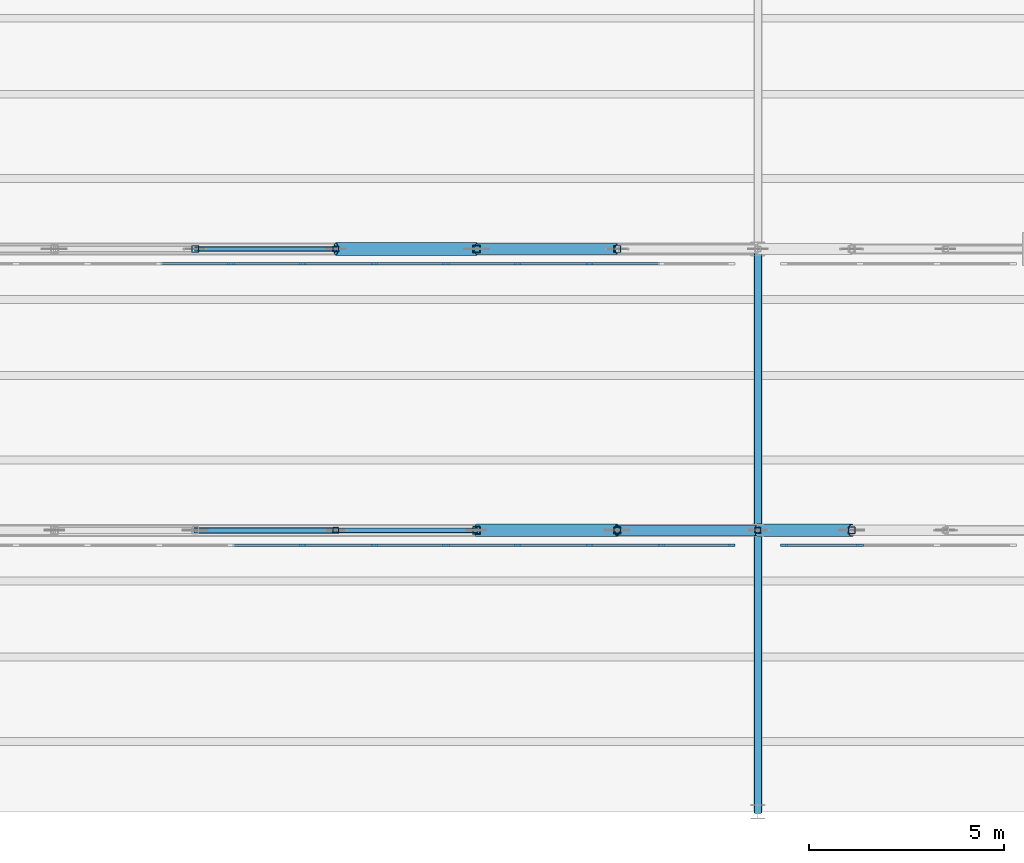
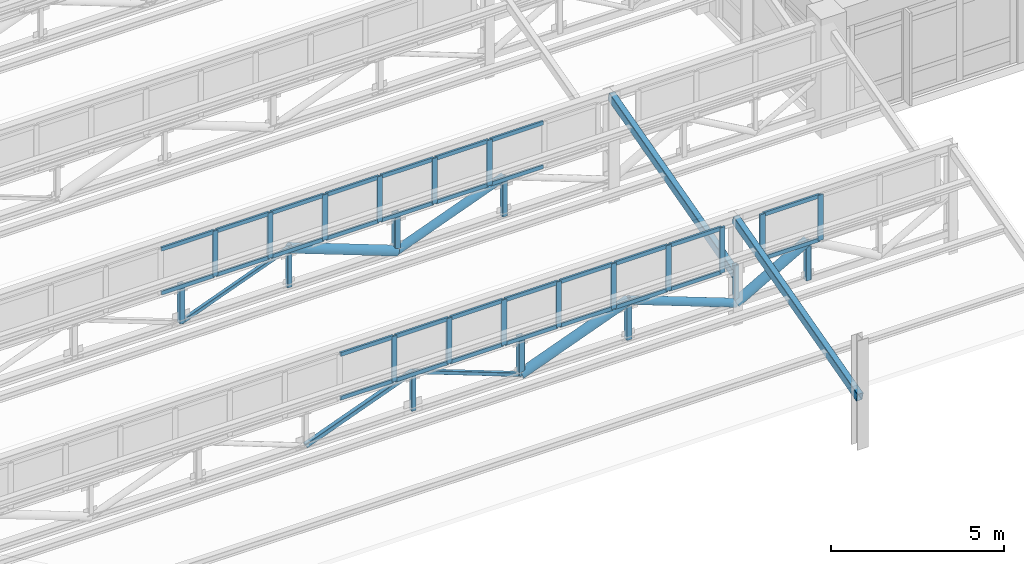
# One storey, part 11 of 98: 62 members, 2 beams, 3 elements without a shape of their own.
"""IFC4 building model written with IfcOpenShell, lengths in metres."""

from ifc_helpers import new_model, si_unit, direction, frame, origin, origin_2d, place, context, subcontext, project, spatial, rectangle, hollow_rectangle, hollow_circle, extrude, material, layer, layer_set, material_profile, profile_set, type_object, element, aggregate, save


model = new_model("IFC4")

# Units and contexts
model_context = context("Model", 3, precision=1e-05, world=origin(), true_north=direction((0.0, 1.0)))
body_context = subcontext(model_context, "Body", "Model", "MODEL_VIEW")
ifc_project = project(units=[si_unit("LENGTHUNIT", "METRE"), si_unit("AREAUNIT", "SQUARE_METRE"), si_unit("VOLUMEUNIT", "CUBIC_METRE"), si_unit("PLANEANGLEUNIT", "RADIAN"), si_unit("MASSUNIT", "GRAM", prefix="KILO")], contexts=[model_context])

# Site, building, storey
site_placement = place(None, origin())
site = spatial("IfcSite", under=ifc_project, at=site_placement, CompositionType="ELEMENT")
building_placement = place(site_placement, origin())
building = spatial("IfcBuilding", under=site, at=building_placement, Name="Solenvale Faculty of Natural Sciences", CompositionType="ELEMENT")
storey_placement = place(building_placement, frame((0.0, 0.0, 9.0)))
storey = spatial("IfcBuildingStorey", under=building, at=storey_placement, Name="L02", CompositionType="ELEMENT", Elevation=9.0)

# Beams
ifc_material_1 = material(Name="Steel S355", Category="steel")
ifc_material_profile_1 = material_profile(ifc_material_1, hollow_rectangle(XDim=0.202880859375, YDim=0.304931640625, WallThickness=0.0126953125, InnerFilletRadius=0.0126953125, OuterFilletRadius=0.025390625, at=origin_2d()), Name="HSS305x203x13")
ifc_profile_set_1 = profile_set([ifc_material_profile_1], Name="Steel S355")
beam_type = type_object("IfcBeamType", Name="BM-RAF-HSS305", PredefinedType="BEAM", material=ifc_profile_set_1)
for number, where, z_axis, x_axis, name in (
    (1, (28.800048828125, 0.0, 1.719970703125), (0.0, 0.965901991803, 0.258907980238), (-1.0, 0.0, 0.0), "V1 Sawtooth End Rafter 1.1.E"),
    (2, (28.800048828125, 7.199951171875, 1.719970703125), (0.0, 0.965901991803, 0.258907980238), (-1.0, 0.0, 0.0), "V1 Sawtooth End Rafter 2.1.E"),
):
    element("IfcBeam", number, at=place(storey_placement, frame(where, z_axis=z_axis, x_axis=x_axis)), inside=storey, type_object=beam_type, Name=name, PredefinedType="BEAM", context=body_context, shape_type="SweptSolid", body=[
        extrude(hollow_rectangle(XDim=0.202880859375, YDim=0.304931640625, WallThickness=0.0126953125, InnerFilletRadius=0.0126953125, OuterFilletRadius=0.025390625, at=origin_2d()), origin(), (0.0, 0.0, 1.0), 7.4541015625),
    ])

# Curtain wall, members
ifc_material_2 = material(Name="Anodised bronze aluminium", Category="aluminium")
ifc_layer = layer(ifc_material_2, 0.1650390625)
ifc_layer_set = layer_set([ifc_layer], Name="Anodised bronze aluminium")
curtain_wall_type = type_object("IfcCurtainWallType", Name="CW-SAW-CLR", PredefinedType="USERDEFINED", material=ifc_layer_set)
curtain_wall_1_placement = place(storey_placement, origin())
curtain_wall_1 = element("IfcCurtainWall", 3, at=curtain_wall_1_placement, inside=storey, type_object=curtain_wall_type, Name="L02 Curtain Wall SAW-V1-CW-1-1", ObjectType="NORTH LIGHT CLERESTORY", PredefinedType="USERDEFINED")
ifc_material_profile_2 = material_profile(ifc_material_2, rectangle(XDim=0.06494140625, YDim=0.175048828125, at=origin_2d()), Name="ALU-MUL-65x175")
ifc_profile_set_2 = profile_set([ifc_material_profile_2], Name="Anodised bronze aluminium")
member_type_1 = type_object("IfcMemberType", Name="CWM-ALU-65x175", PredefinedType="MULLION", material=ifc_profile_set_2)
member_1_placement = place(storey_placement, frame((28.12744140625, 6.820068359375, 2.22998046875), z_axis=(0.0, 0.0, 1.0), x_axis=(0.0, -1.0, 0.0)))
member_1 = element("IfcMember", 4, at=member_1_placement, type_object=member_type_1, Name="CW-05 mullion 1", PredefinedType="MULLION", context=body_context, shape_type="SweptSolid", body=[
    extrude(rectangle(XDim=0.06494140625, YDim=0.175048828125, at=origin_2d()), origin(), (0.0, 0.0, 1.0), 1.610107421875),
])
member_2_placement = place(storey_placement, frame((26.325439453125, 6.820068359375, 2.22998046875), z_axis=(0.0, 0.0, 1.0), x_axis=(0.0, -1.0, 0.0)))
member_2 = element("IfcMember", 5, at=member_2_placement, type_object=member_type_1, Name="CW-05 mullion 2", PredefinedType="MULLION", context=body_context, shape_type="SweptSolid", body=[
    extrude(rectangle(XDim=0.06494140625, YDim=0.175048828125, at=origin_2d()), origin(), (0.0, 0.0, 1.0), 1.610107421875),
])
member_3_placement = place(storey_placement, frame((24.49072265625, 6.820068359375, 2.22998046875), z_axis=(0.0, 0.0, 1.0), x_axis=(0.0, -1.0, 0.0)))
member_3 = element("IfcMember", 6, at=member_3_placement, type_object=member_type_1, Name="CW-05 mullion 3", PredefinedType="MULLION", context=body_context, shape_type="SweptSolid", body=[
    extrude(rectangle(XDim=0.06494140625, YDim=0.175048828125, at=origin_2d()), origin(), (0.0, 0.0, 1.0), 1.610107421875),
])
member_4_placement = place(storey_placement, frame((22.656005859375, 6.820068359375, 2.22998046875), z_axis=(0.0, 0.0, 1.0), x_axis=(0.0, -1.0, 0.0)))
member_4 = element("IfcMember", 7, at=member_4_placement, type_object=member_type_1, Name="CW-05 mullion 4", PredefinedType="MULLION", context=body_context, shape_type="SweptSolid", body=[
    extrude(rectangle(XDim=0.06494140625, YDim=0.175048828125, at=origin_2d()), origin(), (0.0, 0.0, 1.0), 1.610107421875),
])
member_5_placement = place(storey_placement, frame((20.8212890625, 6.820068359375, 2.22998046875), z_axis=(0.0, 0.0, 1.0), x_axis=(0.0, -1.0, 0.0)))
member_5 = element("IfcMember", 8, at=member_5_placement, type_object=member_type_1, Name="CW-05 mullion 5", PredefinedType="MULLION", context=body_context, shape_type="SweptSolid", body=[
    extrude(rectangle(XDim=0.06494140625, YDim=0.175048828125, at=origin_2d()), origin(), (0.0, 0.0, 1.0), 1.610107421875),
])
member_6_placement = place(storey_placement, frame((18.986572265625, 6.820068359375, 2.22998046875), z_axis=(0.0, 0.0, 1.0), x_axis=(0.0, -1.0, 0.0)))
member_6 = element("IfcMember", 9, at=member_6_placement, type_object=member_type_1, Name="CW-05 mullion 6", PredefinedType="MULLION", context=body_context, shape_type="SweptSolid", body=[
    extrude(rectangle(XDim=0.06494140625, YDim=0.175048828125, at=origin_2d()), origin(), (0.0, 0.0, 1.0), 1.610107421875),
])
member_7_placement = place(storey_placement, frame((17.152099609375, 6.820068359375, 2.22998046875), z_axis=(0.0, 0.0, 1.0), x_axis=(0.0, -1.0, 0.0)))
member_7 = element("IfcMember", 10, at=member_7_placement, type_object=member_type_1, Name="CW-05 mullion 7", PredefinedType="MULLION", context=body_context, shape_type="SweptSolid", body=[
    extrude(rectangle(XDim=0.06494140625, YDim=0.175048828125, at=origin_2d()), origin(), (0.0, 0.0, 1.0), 1.610107421875),
])

curtain_wall_2_placement = place(storey_placement, origin())
curtain_wall_2 = element("IfcCurtainWall", 11, at=curtain_wall_2_placement, inside=storey, type_object=curtain_wall_type, Name="L02 Curtain Wall SAW-V1-CW-1-2", ObjectType="NORTH LIGHT CLERESTORY", PredefinedType="USERDEFINED")
member_8_placement = place(storey_placement, frame((31.413330078125, 6.820068359375, 2.22998046875), z_axis=(0.0, 0.0, 1.0), x_axis=(0.0, -1.0, 0.0)))
member_8 = element("IfcMember", 12, at=member_8_placement, type_object=member_type_1, Name="CW-05 mullion 3", PredefinedType="MULLION", context=body_context, shape_type="SweptSolid", body=[
    extrude(rectangle(XDim=0.06494140625, YDim=0.175048828125, at=origin_2d()), origin(), (0.0, 0.0, 1.0), 1.610107421875),
])
member_9_placement = place(storey_placement, frame((29.472412109375, 6.820068359375, 2.22998046875), z_axis=(0.0, 0.0, 1.0), x_axis=(0.0, -1.0, 0.0)))
member_9 = element("IfcMember", 13, at=member_9_placement, type_object=member_type_1, Name="CW-05 mullion 4", PredefinedType="MULLION", context=body_context, shape_type="SweptSolid", body=[
    extrude(rectangle(XDim=0.06494140625, YDim=0.175048828125, at=origin_2d()), origin(), (0.0, 0.0, 1.0), 1.610107421875),
])

curtain_wall_3_placement = place(storey_placement, origin())
curtain_wall_3 = element("IfcCurtainWall", 14, at=curtain_wall_3_placement, inside=storey, type_object=curtain_wall_type, Name="L02 Curtain Wall SAW-V1-CW-2-1", ObjectType="NORTH LIGHT CLERESTORY", PredefinedType="USERDEFINED")
member_10_placement = place(storey_placement, frame((24.49072265625, 14.02001953125, 2.22998046875), z_axis=(0.0, 0.0, 1.0), x_axis=(0.0, -1.0, 0.0)))
member_10 = element("IfcMember", 15, at=member_10_placement, type_object=member_type_1, Name="CW-05 mullion 3", PredefinedType="MULLION", context=body_context, shape_type="SweptSolid", body=[
    extrude(rectangle(XDim=0.06494140625, YDim=0.175048828125, at=origin_2d()), origin(), (0.0, 0.0, 1.0), 1.610107421875),
])
member_11_placement = place(storey_placement, frame((22.656005859375, 14.02001953125, 2.22998046875), z_axis=(0.0, 0.0, 1.0), x_axis=(0.0, -1.0, 0.0)))
member_11 = element("IfcMember", 16, at=member_11_placement, type_object=member_type_1, Name="CW-05 mullion 4", PredefinedType="MULLION", context=body_context, shape_type="SweptSolid", body=[
    extrude(rectangle(XDim=0.06494140625, YDim=0.175048828125, at=origin_2d()), origin(), (0.0, 0.0, 1.0), 1.610107421875),
])
member_12_placement = place(storey_placement, frame((20.8212890625, 14.02001953125, 2.22998046875), z_axis=(0.0, 0.0, 1.0), x_axis=(0.0, -1.0, 0.0)))
member_12 = element("IfcMember", 17, at=member_12_placement, type_object=member_type_1, Name="CW-05 mullion 5", PredefinedType="MULLION", context=body_context, shape_type="SweptSolid", body=[
    extrude(rectangle(XDim=0.06494140625, YDim=0.175048828125, at=origin_2d()), origin(), (0.0, 0.0, 1.0), 1.610107421875),
])
member_13_placement = place(storey_placement, frame((18.986572265625, 14.02001953125, 2.22998046875), z_axis=(0.0, 0.0, 1.0), x_axis=(0.0, -1.0, 0.0)))
member_13 = element("IfcMember", 18, at=member_13_placement, type_object=member_type_1, Name="CW-05 mullion 6", PredefinedType="MULLION", context=body_context, shape_type="SweptSolid", body=[
    extrude(rectangle(XDim=0.06494140625, YDim=0.175048828125, at=origin_2d()), origin(), (0.0, 0.0, 1.0), 1.610107421875),
])
member_14_placement = place(storey_placement, frame((17.152099609375, 14.02001953125, 2.22998046875), z_axis=(0.0, 0.0, 1.0), x_axis=(0.0, -1.0, 0.0)))
member_14 = element("IfcMember", 19, at=member_14_placement, type_object=member_type_1, Name="CW-05 mullion 7", PredefinedType="MULLION", context=body_context, shape_type="SweptSolid", body=[
    extrude(rectangle(XDim=0.06494140625, YDim=0.175048828125, at=origin_2d()), origin(), (0.0, 0.0, 1.0), 1.610107421875),
])
member_15_placement = place(storey_placement, frame((15.3173828125, 14.02001953125, 2.22998046875), z_axis=(0.0, 0.0, 1.0), x_axis=(0.0, -1.0, 0.0)))
member_15 = element("IfcMember", 20, at=member_15_placement, type_object=member_type_1, Name="CW-05 mullion 8", PredefinedType="MULLION", context=body_context, shape_type="SweptSolid", body=[
    extrude(rectangle(XDim=0.06494140625, YDim=0.175048828125, at=origin_2d()), origin(), (0.0, 0.0, 1.0), 1.610107421875),
])

# Member
ifc_material_profile_3 = material_profile(ifc_material_2, rectangle(XDim=0.06494140625, YDim=0.135009765625, at=origin_2d()), Name="ALU-TRN-65x135")
ifc_profile_set_3 = profile_set([ifc_material_profile_3], Name="Anodised bronze aluminium")
member_type_2 = type_object("IfcMemberType", Name="CWT-ALU-65x135", PredefinedType="USERDEFINED", material=ifc_profile_set_3)
member_16_placement = place(storey_placement, frame((28.094970703125, 6.820068359375, 2.262451171875), z_axis=(-1.0, 0.0, 0.0), x_axis=(0.0, -1.0, 0.0)))
member_16 = element("IfcMember", 21, at=member_16_placement, type_object=member_type_2, Name="CW-05 transom 1.1", ObjectType="TRANSOM", PredefinedType="USERDEFINED", context=body_context, shape_type="SweptSolid", body=[
    extrude(rectangle(XDim=0.06494140625, YDim=0.135009765625, at=origin_2d()), origin(), (0.0, 0.0, 1.0), 1.737060546875),
])

member_17_placement = place(storey_placement, frame((28.094970703125, 6.820068359375, 3.8076171875), z_axis=(-1.0, 0.0, 0.0), x_axis=(0.0, -1.0, 0.0)))
member_17 = element("IfcMember", 22, at=member_17_placement, type_object=member_type_2, Name="CW-05 transom 1.2", ObjectType="TRANSOM", PredefinedType="USERDEFINED", context=body_context, shape_type="SweptSolid", body=[
    extrude(rectangle(XDim=0.06494140625, YDim=0.135009765625, at=origin_2d()), origin(), (0.0, 0.0, 1.0), 1.737060546875),
])

member_18_placement = place(storey_placement, frame((26.292724609375, 6.820068359375, 2.262451171875), z_axis=(-1.0, 0.0, 0.0), x_axis=(0.0, -1.0, 0.0)))
member_18 = element("IfcMember", 23, at=member_18_placement, type_object=member_type_2, Name="CW-05 transom 2.1", ObjectType="TRANSOM", PredefinedType="USERDEFINED", context=body_context, shape_type="SweptSolid", body=[
    extrude(rectangle(XDim=0.06494140625, YDim=0.135009765625, at=origin_2d()), origin(), (0.0, 0.0, 1.0), 1.76953125),
])

member_19_placement = place(storey_placement, frame((26.292724609375, 6.820068359375, 3.8076171875), z_axis=(-1.0, 0.0, 0.0), x_axis=(0.0, -1.0, 0.0)))
member_19 = element("IfcMember", 24, at=member_19_placement, type_object=member_type_2, Name="CW-05 transom 2.2", ObjectType="TRANSOM", PredefinedType="USERDEFINED", context=body_context, shape_type="SweptSolid", body=[
    extrude(rectangle(XDim=0.06494140625, YDim=0.135009765625, at=origin_2d()), origin(), (0.0, 0.0, 1.0), 1.76953125),
])

member_20_placement = place(storey_placement, frame((24.458251953125, 6.820068359375, 2.262451171875), z_axis=(-1.0, 0.0, 0.0), x_axis=(0.0, -1.0, 0.0)))
member_20 = element("IfcMember", 25, at=member_20_placement, type_object=member_type_2, Name="CW-05 transom 3.1", ObjectType="TRANSOM", PredefinedType="USERDEFINED", context=body_context, shape_type="SweptSolid", body=[
    extrude(rectangle(XDim=0.06494140625, YDim=0.135009765625, at=origin_2d()), origin(), (0.0, 0.0, 1.0), 1.769775390625),
])

member_21_placement = place(storey_placement, frame((24.458251953125, 6.820068359375, 3.8076171875), z_axis=(-1.0, 0.0, 0.0), x_axis=(0.0, -1.0, 0.0)))
member_21 = element("IfcMember", 26, at=member_21_placement, type_object=member_type_2, Name="CW-05 transom 3.2", ObjectType="TRANSOM", PredefinedType="USERDEFINED", context=body_context, shape_type="SweptSolid", body=[
    extrude(rectangle(XDim=0.06494140625, YDim=0.135009765625, at=origin_2d()), origin(), (0.0, 0.0, 1.0), 1.769775390625),
])

member_22_placement = place(storey_placement, frame((22.62353515625, 6.820068359375, 2.262451171875), z_axis=(-1.0, 0.0, 0.0), x_axis=(0.0, -1.0, 0.0)))
member_22 = element("IfcMember", 27, at=member_22_placement, type_object=member_type_2, Name="CW-05 transom 4.1", ObjectType="TRANSOM", PredefinedType="USERDEFINED", context=body_context, shape_type="SweptSolid", body=[
    extrude(rectangle(XDim=0.06494140625, YDim=0.135009765625, at=origin_2d()), origin(), (0.0, 0.0, 1.0), 1.769775390625),
])

member_23_placement = place(storey_placement, frame((22.62353515625, 6.820068359375, 3.8076171875), z_axis=(-1.0, 0.0, 0.0), x_axis=(0.0, -1.0, 0.0)))
member_23 = element("IfcMember", 28, at=member_23_placement, type_object=member_type_2, Name="CW-05 transom 4.2", ObjectType="TRANSOM", PredefinedType="USERDEFINED", context=body_context, shape_type="SweptSolid", body=[
    extrude(rectangle(XDim=0.06494140625, YDim=0.135009765625, at=origin_2d()), origin(), (0.0, 0.0, 1.0), 1.769775390625),
])

member_24_placement = place(storey_placement, frame((20.788818359375, 6.820068359375, 2.262451171875), z_axis=(-1.0, 0.0, 0.0), x_axis=(0.0, -1.0, 0.0)))
member_24 = element("IfcMember", 29, at=member_24_placement, type_object=member_type_2, Name="CW-05 transom 5.1", ObjectType="TRANSOM", PredefinedType="USERDEFINED", context=body_context, shape_type="SweptSolid", body=[
    extrude(rectangle(XDim=0.06494140625, YDim=0.135009765625, at=origin_2d()), origin(), (0.0, 0.0, 1.0), 1.76953125),
])

member_25_placement = place(storey_placement, frame((20.788818359375, 6.820068359375, 3.8076171875), z_axis=(-1.0, 0.0, 0.0), x_axis=(0.0, -1.0, 0.0)))
member_25 = element("IfcMember", 30, at=member_25_placement, type_object=member_type_2, Name="CW-05 transom 5.2", ObjectType="TRANSOM", PredefinedType="USERDEFINED", context=body_context, shape_type="SweptSolid", body=[
    extrude(rectangle(XDim=0.06494140625, YDim=0.135009765625, at=origin_2d()), origin(), (0.0, 0.0, 1.0), 1.76953125),
])

member_26_placement = place(storey_placement, frame((18.9541015625, 6.820068359375, 2.262451171875), z_axis=(-1.0, 0.0, 0.0), x_axis=(0.0, -1.0, 0.0)))
member_26 = element("IfcMember", 31, at=member_26_placement, type_object=member_type_2, Name="CW-05 transom 6.1", ObjectType="TRANSOM", PredefinedType="USERDEFINED", context=body_context, shape_type="SweptSolid", body=[
    extrude(rectangle(XDim=0.06494140625, YDim=0.135009765625, at=origin_2d()), origin(), (0.0, 0.0, 1.0), 1.76953125),
])

member_27_placement = place(storey_placement, frame((18.9541015625, 6.820068359375, 3.8076171875), z_axis=(-1.0, 0.0, 0.0), x_axis=(0.0, -1.0, 0.0)))
member_27 = element("IfcMember", 32, at=member_27_placement, type_object=member_type_2, Name="CW-05 transom 6.2", ObjectType="TRANSOM", PredefinedType="USERDEFINED", context=body_context, shape_type="SweptSolid", body=[
    extrude(rectangle(XDim=0.06494140625, YDim=0.135009765625, at=origin_2d()), origin(), (0.0, 0.0, 1.0), 1.76953125),
])

member_28_placement = place(storey_placement, frame((17.119384765625, 6.820068359375, 2.262451171875), z_axis=(-1.0, 0.0, 0.0), x_axis=(0.0, -1.0, 0.0)))
member_28 = element("IfcMember", 33, at=member_28_placement, type_object=member_type_2, Name="CW-05 transom 7.1", ObjectType="TRANSOM", PredefinedType="USERDEFINED", context=body_context, shape_type="SweptSolid", body=[
    extrude(rectangle(XDim=0.06494140625, YDim=0.135009765625, at=origin_2d()), origin(), (0.0, 0.0, 1.0), 1.76953125),
])

member_29_placement = place(storey_placement, frame((17.119384765625, 6.820068359375, 3.8076171875), z_axis=(-1.0, 0.0, 0.0), x_axis=(0.0, -1.0, 0.0)))
member_29 = element("IfcMember", 34, at=member_29_placement, type_object=member_type_2, Name="CW-05 transom 7.2", ObjectType="TRANSOM", PredefinedType="USERDEFINED", context=body_context, shape_type="SweptSolid", body=[
    extrude(rectangle(XDim=0.06494140625, YDim=0.135009765625, at=origin_2d()), origin(), (0.0, 0.0, 1.0), 1.76953125),
])

aggregate(curtain_wall_1, [member_1, member_2, member_3, member_4, member_5, member_6, member_7, member_16, member_17, member_18, member_19, member_20, member_21, member_22, member_23, member_24, member_25, member_26, member_27, member_28, member_29])

member_30_placement = place(storey_placement, frame((31.380859375, 6.820068359375, 2.262451171875), z_axis=(-1.0, 0.0, 0.0), x_axis=(0.0, -1.0, 0.0)))
member_30 = element("IfcMember", 35, at=member_30_placement, type_object=member_type_2, Name="CW-05 transom 3.1", ObjectType="TRANSOM", PredefinedType="USERDEFINED", context=body_context, shape_type="SweptSolid", body=[
    extrude(rectangle(XDim=0.06494140625, YDim=0.135009765625, at=origin_2d()), origin(), (0.0, 0.0, 1.0), 1.8759765625),
])

member_31_placement = place(storey_placement, frame((31.380859375, 6.820068359375, 3.8076171875), z_axis=(-1.0, 0.0, 0.0), x_axis=(0.0, -1.0, 0.0)))
member_31 = element("IfcMember", 36, at=member_31_placement, type_object=member_type_2, Name="CW-05 transom 3.2", ObjectType="TRANSOM", PredefinedType="USERDEFINED", context=body_context, shape_type="SweptSolid", body=[
    extrude(rectangle(XDim=0.06494140625, YDim=0.135009765625, at=origin_2d()), origin(), (0.0, 0.0, 1.0), 1.8759765625),
])

aggregate(curtain_wall_2, [member_8, member_9, member_30, member_31])

member_32_placement = place(storey_placement, frame((26.292724609375, 14.02001953125, 2.262451171875), z_axis=(-1.0, 0.0, 0.0), x_axis=(0.0, -1.0, 0.0)))
member_32 = element("IfcMember", 37, at=member_32_placement, type_object=member_type_2, Name="CW-05 transom 2.1", ObjectType="TRANSOM", PredefinedType="USERDEFINED", context=body_context, shape_type="SweptSolid", body=[
    extrude(rectangle(XDim=0.06494140625, YDim=0.135009765625, at=origin_2d()), origin(), (0.0, 0.0, 1.0), 1.76953125),
])

member_33_placement = place(storey_placement, frame((26.292724609375, 14.02001953125, 3.8076171875), z_axis=(-1.0, 0.0, 0.0), x_axis=(0.0, -1.0, 0.0)))
member_33 = element("IfcMember", 38, at=member_33_placement, type_object=member_type_2, Name="CW-05 transom 2.2", ObjectType="TRANSOM", PredefinedType="USERDEFINED", context=body_context, shape_type="SweptSolid", body=[
    extrude(rectangle(XDim=0.06494140625, YDim=0.135009765625, at=origin_2d()), origin(), (0.0, 0.0, 1.0), 1.76953125),
])

member_34_placement = place(storey_placement, frame((24.458251953125, 14.02001953125, 2.262451171875), z_axis=(-1.0, 0.0, 0.0), x_axis=(0.0, -1.0, 0.0)))
member_34 = element("IfcMember", 39, at=member_34_placement, type_object=member_type_2, Name="CW-05 transom 3.1", ObjectType="TRANSOM", PredefinedType="USERDEFINED", context=body_context, shape_type="SweptSolid", body=[
    extrude(rectangle(XDim=0.06494140625, YDim=0.135009765625, at=origin_2d()), origin(), (0.0, 0.0, 1.0), 1.769775390625),
])

member_35_placement = place(storey_placement, frame((24.458251953125, 14.02001953125, 3.8076171875), z_axis=(-1.0, 0.0, 0.0), x_axis=(0.0, -1.0, 0.0)))
member_35 = element("IfcMember", 40, at=member_35_placement, type_object=member_type_2, Name="CW-05 transom 3.2", ObjectType="TRANSOM", PredefinedType="USERDEFINED", context=body_context, shape_type="SweptSolid", body=[
    extrude(rectangle(XDim=0.06494140625, YDim=0.135009765625, at=origin_2d()), origin(), (0.0, 0.0, 1.0), 1.769775390625),
])

member_36_placement = place(storey_placement, frame((22.62353515625, 14.02001953125, 2.262451171875), z_axis=(-1.0, 0.0, 0.0), x_axis=(0.0, -1.0, 0.0)))
member_36 = element("IfcMember", 41, at=member_36_placement, type_object=member_type_2, Name="CW-05 transom 4.1", ObjectType="TRANSOM", PredefinedType="USERDEFINED", context=body_context, shape_type="SweptSolid", body=[
    extrude(rectangle(XDim=0.06494140625, YDim=0.135009765625, at=origin_2d()), origin(), (0.0, 0.0, 1.0), 1.769775390625),
])

member_37_placement = place(storey_placement, frame((22.62353515625, 14.02001953125, 3.8076171875), z_axis=(-1.0, 0.0, 0.0), x_axis=(0.0, -1.0, 0.0)))
member_37 = element("IfcMember", 42, at=member_37_placement, type_object=member_type_2, Name="CW-05 transom 4.2", ObjectType="TRANSOM", PredefinedType="USERDEFINED", context=body_context, shape_type="SweptSolid", body=[
    extrude(rectangle(XDim=0.06494140625, YDim=0.135009765625, at=origin_2d()), origin(), (0.0, 0.0, 1.0), 1.769775390625),
])

member_38_placement = place(storey_placement, frame((20.788818359375, 14.02001953125, 2.262451171875), z_axis=(-1.0, 0.0, 0.0), x_axis=(0.0, -1.0, 0.0)))
member_38 = element("IfcMember", 43, at=member_38_placement, type_object=member_type_2, Name="CW-05 transom 5.1", ObjectType="TRANSOM", PredefinedType="USERDEFINED", context=body_context, shape_type="SweptSolid", body=[
    extrude(rectangle(XDim=0.06494140625, YDim=0.135009765625, at=origin_2d()), origin(), (0.0, 0.0, 1.0), 1.76953125),
])

member_39_placement = place(storey_placement, frame((20.788818359375, 14.02001953125, 3.8076171875), z_axis=(-1.0, 0.0, 0.0), x_axis=(0.0, -1.0, 0.0)))
member_39 = element("IfcMember", 44, at=member_39_placement, type_object=member_type_2, Name="CW-05 transom 5.2", ObjectType="TRANSOM", PredefinedType="USERDEFINED", context=body_context, shape_type="SweptSolid", body=[
    extrude(rectangle(XDim=0.06494140625, YDim=0.135009765625, at=origin_2d()), origin(), (0.0, 0.0, 1.0), 1.76953125),
])

member_40_placement = place(storey_placement, frame((18.9541015625, 14.02001953125, 2.262451171875), z_axis=(-1.0, 0.0, 0.0), x_axis=(0.0, -1.0, 0.0)))
member_40 = element("IfcMember", 45, at=member_40_placement, type_object=member_type_2, Name="CW-05 transom 6.1", ObjectType="TRANSOM", PredefinedType="USERDEFINED", context=body_context, shape_type="SweptSolid", body=[
    extrude(rectangle(XDim=0.06494140625, YDim=0.135009765625, at=origin_2d()), origin(), (0.0, 0.0, 1.0), 1.76953125),
])

member_41_placement = place(storey_placement, frame((18.9541015625, 14.02001953125, 3.8076171875), z_axis=(-1.0, 0.0, 0.0), x_axis=(0.0, -1.0, 0.0)))
member_41 = element("IfcMember", 46, at=member_41_placement, type_object=member_type_2, Name="CW-05 transom 6.2", ObjectType="TRANSOM", PredefinedType="USERDEFINED", context=body_context, shape_type="SweptSolid", body=[
    extrude(rectangle(XDim=0.06494140625, YDim=0.135009765625, at=origin_2d()), origin(), (0.0, 0.0, 1.0), 1.76953125),
])

member_42_placement = place(storey_placement, frame((17.119384765625, 14.02001953125, 2.262451171875), z_axis=(-1.0, 0.0, 0.0), x_axis=(0.0, -1.0, 0.0)))
member_42 = element("IfcMember", 47, at=member_42_placement, type_object=member_type_2, Name="CW-05 transom 7.1", ObjectType="TRANSOM", PredefinedType="USERDEFINED", context=body_context, shape_type="SweptSolid", body=[
    extrude(rectangle(XDim=0.06494140625, YDim=0.135009765625, at=origin_2d()), origin(), (0.0, 0.0, 1.0), 1.76953125),
])

member_43_placement = place(storey_placement, frame((17.119384765625, 14.02001953125, 3.8076171875), z_axis=(-1.0, 0.0, 0.0), x_axis=(0.0, -1.0, 0.0)))
member_43 = element("IfcMember", 48, at=member_43_placement, type_object=member_type_2, Name="CW-05 transom 7.2", ObjectType="TRANSOM", PredefinedType="USERDEFINED", context=body_context, shape_type="SweptSolid", body=[
    extrude(rectangle(XDim=0.06494140625, YDim=0.135009765625, at=origin_2d()), origin(), (0.0, 0.0, 1.0), 1.76953125),
])

member_44_placement = place(storey_placement, frame((15.284912109375, 14.02001953125, 2.262451171875), z_axis=(-1.0, 0.0, 0.0), x_axis=(0.0, -1.0, 0.0)))
member_44 = element("IfcMember", 49, at=member_44_placement, type_object=member_type_2, Name="CW-05 transom 8.1", ObjectType="TRANSOM", PredefinedType="USERDEFINED", context=body_context, shape_type="SweptSolid", body=[
    extrude(rectangle(XDim=0.06494140625, YDim=0.135009765625, at=origin_2d()), origin(), (0.0, 0.0, 1.0), 1.769775390625),
])

member_45_placement = place(storey_placement, frame((15.284912109375, 14.02001953125, 3.8076171875), z_axis=(-1.0, 0.0, 0.0), x_axis=(0.0, -1.0, 0.0)))
member_45 = element("IfcMember", 50, at=member_45_placement, type_object=member_type_2, Name="CW-05 transom 8.2", ObjectType="TRANSOM", PredefinedType="USERDEFINED", context=body_context, shape_type="SweptSolid", body=[
    extrude(rectangle(XDim=0.06494140625, YDim=0.135009765625, at=origin_2d()), origin(), (0.0, 0.0, 1.0), 1.769775390625),
])

aggregate(curtain_wall_3, [member_10, member_11, member_12, member_13, member_14, member_15, member_32, member_33, member_34, member_35, member_36, member_37, member_38, member_39, member_40, member_41, member_42, member_43, member_44, member_45])

# Members
ifc_material_profile_4 = material_profile(ifc_material_1, hollow_circle(Radius=0.136474609375, WallThickness=0.010986328125, at=origin_2d()), Name="HSS273x11")
ifc_profile_set_4 = profile_set([ifc_material_profile_4], Name="Steel S355")
member_type_3 = type_object("IfcMemberType", Name="MB-BRC-CHS273", PredefinedType="BRACE", material=ifc_profile_set_4)
member_46_placement = place(storey_placement, frame((25.199951171875, 7.199951171875, 2.050048828125), z_axis=(0.935466034784, 0.0, -0.353416606522), x_axis=(0.0, 1.0, 0.0)))
element("IfcMember", 51, at=member_46_placement, inside=storey, type_object=member_type_3, Name="V1 Truss 1.1 Diagonal 8", PredefinedType="BRACE", context=body_context, shape_type="SweptSolid", body=[
    extrude(hollow_circle(Radius=0.136474609375, WallThickness=0.010986328125, at=origin_2d()), origin(), (0.0, 0.0, 1.0), 3.848388671875),
])
member_47_placement = place(storey_placement, frame((21.60009765625, 14.39990234375, 0.68994140625), z_axis=(0.935458110384, 0.0, 0.353437581075), x_axis=(0.0, 1.0, 0.0)))
element("IfcMember", 52, at=member_47_placement, inside=storey, type_object=member_type_3, Name="V1 Truss 2.1 Diagonal 7", PredefinedType="BRACE", context=body_context, shape_type="SweptSolid", body=[
    extrude(hollow_circle(Radius=0.136474609375, WallThickness=0.010986328125, at=origin_2d()), origin(), (0.0, 0.0, 1.0), 3.84814453125),
])
ifc_material_profile_5 = material_profile(ifc_material_1, hollow_circle(Radius=0.161865234375, WallThickness=0.0126953125, at=origin_2d()), Name="HSS324x13")
ifc_profile_set_5 = profile_set([ifc_material_profile_5], Name="Steel S355")
member_type_4 = type_object("IfcMemberType", Name="MB-BRC-CHS324", PredefinedType="BRACE", material=ifc_profile_set_5)
member_48_placement = place(storey_placement, frame((21.60009765625, 7.199951171875, 0.68994140625), z_axis=(0.935458110384, 0.0, 0.353437581075), x_axis=(0.0, 1.0, 0.0)))
element("IfcMember", 53, at=member_48_placement, inside=storey, type_object=member_type_4, Name="V1 Truss 1.1 Diagonal 7", PredefinedType="BRACE", context=body_context, shape_type="SweptSolid", body=[
    extrude(hollow_circle(Radius=0.161865234375, WallThickness=0.0126953125, at=origin_2d()), origin(), (0.0, 0.0, 1.0), 3.84814453125),
])
member_49_placement = place(storey_placement, frame((28.800048828125, 7.199951171875, 0.68994140625), z_axis=(0.869996876503, 0.0, 0.493057232859), x_axis=(0.0, 1.0, 0.0)))
element("IfcMember", 54, at=member_49_placement, inside=storey, type_object=member_type_4, Name="V1 Truss 1.2 Diagonal 1", PredefinedType="BRACE", context=body_context, shape_type="SweptSolid", body=[
    extrude(hollow_circle(Radius=0.161865234375, WallThickness=0.0126953125, at=origin_2d()), origin(), (0.0, 0.0, 1.0), 2.758544921875),
])
member_50_placement = place(storey_placement, frame((18.0, 14.39990234375, 2.050048828125), z_axis=(0.935466034784, 0.0, -0.353416606522), x_axis=(0.0, 1.0, 0.0)))
element("IfcMember", 55, at=member_50_placement, inside=storey, type_object=member_type_4, Name="V1 Truss 2.1 Diagonal 6", PredefinedType="BRACE", context=body_context, shape_type="SweptSolid", body=[
    extrude(hollow_circle(Radius=0.161865234375, WallThickness=0.0126953125, at=origin_2d()), origin(), (0.0, 0.0, 1.0), 3.848388671875),
])
ifc_material_profile_6 = material_profile(ifc_material_1, hollow_rectangle(XDim=0.126953125, YDim=0.126953125, WallThickness=0.008056640625, InnerFilletRadius=0.008056640625, OuterFilletRadius=0.01611328125, at=origin_2d()), Name="HSS127x127x8.0")
ifc_profile_set_6 = profile_set([ifc_material_profile_6], Name="Steel S355")
member_type_5 = type_object("IfcMemberType", Name="MB-BRC-HSS127", PredefinedType="BRACE", material=ifc_profile_set_6)
for number, where, z_axis, x_axis, name in (
    (56, (18.0, 7.199951171875, 2.050048828125), (0.935466034784, 0.0, -0.353416606522), (0.0, 1.0, 0.0), "V1 Truss 1.1 Diagonal 6"),
    (57, (14.39990234375, 14.39990234375, 0.68994140625), (0.935466034784, 0.0, 0.353416606522), (0.0, 1.0, 0.0), "V1 Truss 2.1 Diagonal 5"),
):
    element("IfcMember", number, at=place(storey_placement, frame(where, z_axis=z_axis, x_axis=x_axis)), inside=storey, type_object=member_type_5, Name=name, PredefinedType="BRACE", context=body_context, shape_type="SweptSolid", body=[
        extrude(hollow_rectangle(XDim=0.126953125, YDim=0.126953125, WallThickness=0.008056640625, InnerFilletRadius=0.008056640625, OuterFilletRadius=0.01611328125, at=origin_2d()), origin(), (0.0, 0.0, 1.0), 3.848388671875),
    ])
ifc_material_profile_7 = material_profile(ifc_material_1, hollow_rectangle(XDim=0.152099609375, YDim=0.152099609375, WallThickness=0.009521484375, InnerFilletRadius=0.009521484375, OuterFilletRadius=0.01904296875, at=origin_2d()), Name="HSS152x152x9.5")
ifc_profile_set_7 = profile_set([ifc_material_profile_7], Name="Steel S355")
member_type_6 = type_object("IfcMemberType", Name="MB-BRC-HSS152", PredefinedType="BRACE", material=ifc_profile_set_7)
member_51_placement = place(storey_placement, frame((14.39990234375, 7.199951171875, 0.68994140625), z_axis=(0.935466034784, 0.0, 0.353416606522), x_axis=(0.0, 1.0, 0.0)))
element("IfcMember", 58, at=member_51_placement, inside=storey, type_object=member_type_6, Name="V1 Truss 1.1 Diagonal 5", PredefinedType="BRACE", context=body_context, shape_type="SweptSolid", body=[
    extrude(hollow_rectangle(XDim=0.152099609375, YDim=0.152099609375, WallThickness=0.009521484375, InnerFilletRadius=0.009521484375, OuterFilletRadius=0.01904296875, at=origin_2d()), origin(), (0.0, 0.0, 1.0), 3.848388671875),
])
ifc_material_profile_8 = material_profile(ifc_material_1, hollow_rectangle(XDim=0.152099609375, YDim=0.152099609375, WallThickness=0.009521484375, InnerFilletRadius=0.009521484375, OuterFilletRadius=0.01904296875, at=origin_2d()), Name="HSS152x152x9.5")
ifc_profile_set_8 = profile_set([ifc_material_profile_8], Name="Steel S355")
member_type_7 = type_object("IfcMemberType", Name="MB-STR-HSS152", PredefinedType="STRUT", material=ifc_profile_set_8)
for number, where, z_axis, x_axis, name in (
    (59, (18.0, 7.199951171875, 0.68994140625), (0.0, 0.0, 1.0), (1.0, 0.0, 0.0), "V1 Truss 1.1 Strut 5"),
    (60, (28.800048828125, 7.199951171875, 0.68994140625), (0.0, 0.0, 1.0), (1.0, 0.0, 0.0), "V1 Truss 1.1 Strut 8"),
    (61, (18.0, 14.39990234375, 0.68994140625), (0.0, 0.0, 1.0), (1.0, 0.0, 0.0), "V1 Truss 2.1 Strut 5"),
):
    element("IfcMember", number, at=place(storey_placement, frame(where, z_axis=z_axis, x_axis=x_axis)), inside=storey, type_object=member_type_7, Name=name, PredefinedType="STRUT", context=body_context, shape_type="SweptSolid", body=[
        extrude(hollow_rectangle(XDim=0.152099609375, YDim=0.152099609375, WallThickness=0.009521484375, InnerFilletRadius=0.009521484375, OuterFilletRadius=0.01904296875, at=origin_2d()), origin(), (0.0, 0.0, 1.0), 1.360107421875),
    ])
ifc_material_profile_9 = material_profile(ifc_material_1, hollow_rectangle(XDim=0.177978515625, YDim=0.177978515625, WallThickness=0.009521484375, InnerFilletRadius=0.009521484375, OuterFilletRadius=0.01904296875, at=origin_2d()), Name="HSS178x178x9.5")
ifc_profile_set_9 = profile_set([ifc_material_profile_9], Name="Steel S355")
member_type_8 = type_object("IfcMemberType", Name="MB-STR-HSS178", PredefinedType="STRUT", material=ifc_profile_set_9)
for number, where, z_axis, x_axis, name in (
    (62, (25.199951171875, 7.199951171875, 0.68994140625), (0.0, 0.0, 1.0), (1.0, 0.0, 0.0), "V1 Truss 1.1 Strut 7"),
    (63, (31.199951171875, 7.199951171875, 0.68994140625), (0.0, 0.0, 1.0), (1.0, 0.0, 0.0), "V1 Truss 1.2 Strut 1"),
    (64, (14.39990234375, 14.39990234375, 0.68994140625), (0.0, 0.0, 1.0), (1.0, 0.0, 0.0), "V1 Truss 2.1 Strut 4"),
    (65, (25.199951171875, 14.39990234375, 0.68994140625), (0.0, 0.0, 1.0), (1.0, 0.0, 0.0), "V1 Truss 2.1 Strut 7"),
):
    element("IfcMember", number, at=place(storey_placement, frame(where, z_axis=z_axis, x_axis=x_axis)), inside=storey, type_object=member_type_8, Name=name, PredefinedType="STRUT", context=body_context, shape_type="SweptSolid", body=[
        extrude(hollow_rectangle(XDim=0.177978515625, YDim=0.177978515625, WallThickness=0.009521484375, InnerFilletRadius=0.009521484375, OuterFilletRadius=0.01904296875, at=origin_2d()), origin(), (0.0, 0.0, 1.0), 1.360107421875),
    ])
ifc_material_profile_10 = material_profile(ifc_material_1, hollow_rectangle(XDim=0.202880859375, YDim=0.202880859375, WallThickness=0.0126953125, InnerFilletRadius=0.0126953125, OuterFilletRadius=0.025390625, at=origin_2d()), Name="HSS203x203x13")
ifc_profile_set_10 = profile_set([ifc_material_profile_10], Name="Steel S355")
member_type_9 = type_object("IfcMemberType", Name="MB-STR-HSS203", PredefinedType="STRUT", material=ifc_profile_set_10)
for number, where, z_axis, x_axis, name in (
    (66, (21.60009765625, 7.199951171875, 0.68994140625), (0.0, 0.0, 1.0), (1.0, 0.0, 0.0), "V1 Truss 1.1 Strut 6"),
    (67, (21.60009765625, 14.39990234375, 0.68994140625), (0.0, 0.0, 1.0), (1.0, 0.0, 0.0), "V1 Truss 2.1 Strut 6"),
):
    element("IfcMember", number, at=place(storey_placement, frame(where, z_axis=z_axis, x_axis=x_axis)), inside=storey, type_object=member_type_9, Name=name, PredefinedType="STRUT", context=body_context, shape_type="SweptSolid", body=[
        extrude(hollow_rectangle(XDim=0.202880859375, YDim=0.202880859375, WallThickness=0.0126953125, InnerFilletRadius=0.0126953125, OuterFilletRadius=0.025390625, at=origin_2d()), origin(), (0.0, 0.0, 1.0), 1.360107421875),
    ])

save(model, "model.ifc")
